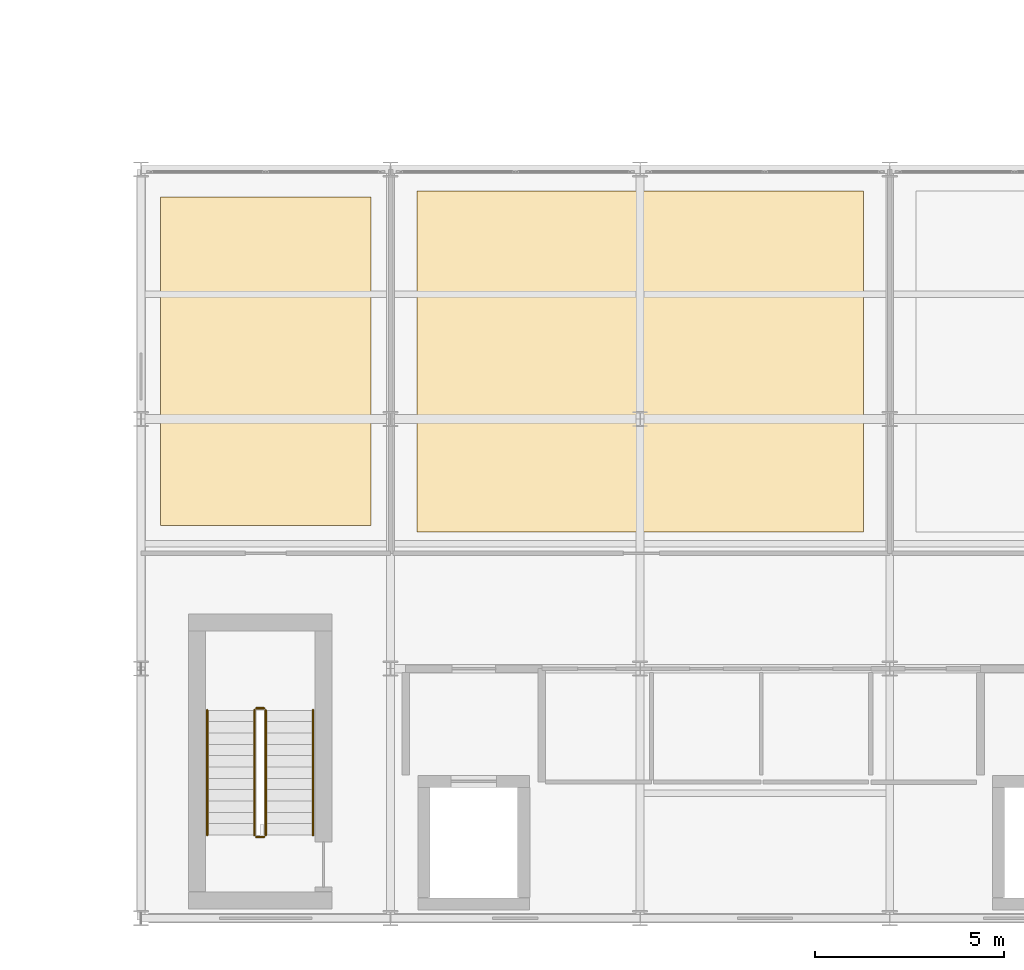
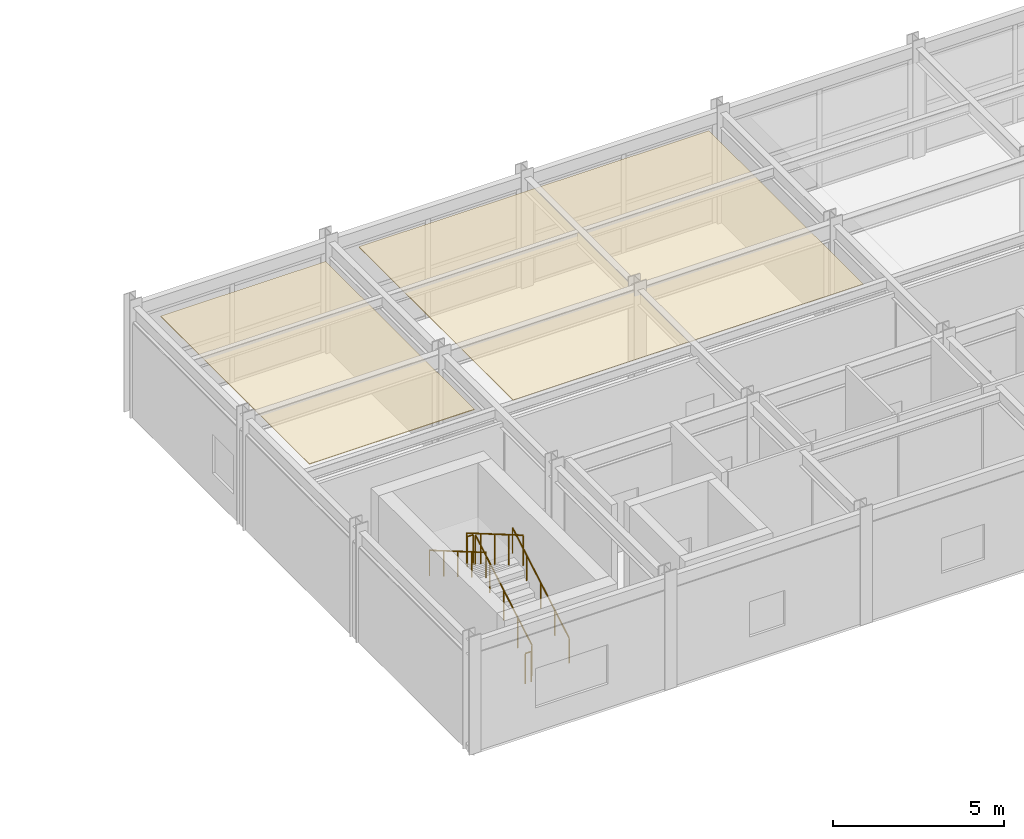
# One storey, part 138 of 147: 6 railings, 2 coverings.
"""IFC4 building model written with IfcOpenShell, lengths in metres."""

from ifc_helpers import new_model, si_unit, direction, frame, origin, origin_2d, place, context, subcontext, project, spatial, polyline, circle, outline, extrude, material, layer, layer_set, type_object, element, save


model = new_model("IFC4")

# Units and contexts
model_context = context("Model", 3, precision=1e-05, world=origin(), true_north=direction((0.0, 1.0)))
body_context = subcontext(model_context, "Body", "Model", "MODEL_VIEW")
ifc_project = project(units=[si_unit("LENGTHUNIT", "METRE"), si_unit("AREAUNIT", "SQUARE_METRE"), si_unit("VOLUMEUNIT", "CUBIC_METRE"), si_unit("PLANEANGLEUNIT", "RADIAN"), si_unit("MASSUNIT", "GRAM", prefix="KILO")], contexts=[model_context])

# Site, building, storey
site_placement = place(None, origin())
site = spatial("IfcSite", under=ifc_project, at=site_placement, CompositionType="ELEMENT")
building_placement = place(site_placement, origin())
building = spatial("IfcBuilding", under=site, at=building_placement, Name="Karori Crest Natural Sciences Institute", CompositionType="ELEMENT")
storey_placement = place(building_placement, frame((0.0, 0.0, 9.10009765625)))
storey = spatial("IfcBuildingStorey", under=building, at=storey_placement, Name="L02", CompositionType="ELEMENT", Elevation=9.10009765625)

# Coverings
ifc_material_1 = material(Name="Acoustic mineral fibre ceiling tile")
ifc_layer = layer(ifc_material_1, 0.02490234375, Name="Acoustic mineral fibre ceiling tile")
ifc_layer_set = layer_set([ifc_layer], Name="Acoustic mineral fibre ceiling tile")
covering_type = type_object("IfcCoveringType", Name="CVT-CEIL", PredefinedType="CEILING", material=ifc_layer_set)
covering_1_placement = place(storey_placement, frame((0.0, 0.0, 3.704833984375)))
element("IfcCovering", 1, at=covering_1_placement, inside=storey, type_object=covering_type, Name="Acoustic ceiling CLG-0011", PredefinedType="CEILING", context=body_context, shape_type="SweptSolid", body=[
    extrude(outline(polyline([(104.117431640625, 19.87060546875), (104.117431640625, 11.179443359375), (109.6826171875, 11.179443359375), (109.6826171875, 19.87060546875), (104.117431640625, 19.87060546875)])), origin(), (0.0, 0.0, 1.0), 0.025146484375),
])
covering_2_placement = place(storey_placement, frame((0.0, 0.0, 3.704833984375)))
element("IfcCovering", 2, at=covering_2_placement, inside=storey, type_object=covering_type, Name="Acoustic ceiling CLG-0012", PredefinedType="CEILING", context=body_context, shape_type="SweptSolid", body=[
    extrude(outline(polyline([(110.896240234375, 20.03515625), (110.896240234375, 11.014892578125), (122.70361328125, 11.014892578125), (122.70361328125, 20.03515625), (110.896240234375, 20.03515625)])), origin(), (0.0, 0.0, 1.0), 0.025146484375),
])

# Railings
ifc_material_2 = material(Name="Stainless steel 316 tubular handrail", Category="steel")
railing_type_1 = type_object("IfcRailingType", Name="RLT-HND", PredefinedType="HANDRAIL", material=ifc_material_2)
railing_1_placement = place(storey_placement, frame((108.14990234375, 3.0, 0.1748046875)))
element("IfcRailing", 3, at=railing_1_placement, inside=storey, type_object=railing_type_1, Name="Stair handrail RL-0115", PredefinedType="HANDRAIL", context=body_context, shape_type="SweptSolid", body=[
    extrude(circle(Radius=0.02392578125, at=origin_2d()), frame((0.0, 0.0, 0.90087890625), z_axis=(0.0, 0.863776583165, 0.503874998761), x_axis=(-1.0, 0.0, 0.0)), (0.0, 0.0, 1.0), 3.820556640625),
    extrude(circle(Radius=0.02099609375, at=origin_2d()), origin(), (0.0, 0.0, 1.0), 0.876953125),
    extrude(circle(Radius=0.02099609375, at=origin_2d()), frame((0.0, 0.824951171875, 0.481201171875)), (0.0, 0.0, 1.0), 0.876953125),
    extrude(circle(Radius=0.02099609375, at=origin_2d()), frame((0.0, 1.64990234375, 0.96240234375)), (0.0, 0.0, 1.0), 0.876953125),
    extrude(circle(Radius=0.02099609375, at=origin_2d()), frame((0.0, 2.47509765625, 1.44384765625)), (0.0, 0.0, 1.0), 0.876953125),
    extrude(circle(Radius=0.02099609375, at=origin_2d()), frame((0.0, 3.300048828125, 1.925048828125)), (0.0, 0.0, 1.0), 0.876953125),
])
railing_2_placement = place(storey_placement, frame((105.35009765625, 6.300048828125, 2.27490234375)))
element("IfcRailing", 4, at=railing_2_placement, inside=storey, type_object=railing_type_1, Name="Stair handrail RL-0116", PredefinedType="HANDRAIL", context=body_context, shape_type="SweptSolid", body=[
    extrude(circle(Radius=0.02392578125, at=origin_2d()), frame((0.0, 0.0, 0.90087890625), z_axis=(0.0, -0.863776583165, 0.503874998761), x_axis=(1.0, 0.0, 0.0)), (0.0, 0.0, 1.0), 3.820556640625),
    extrude(circle(Radius=0.02099609375, at=origin_2d()), origin(), (0.0, 0.0, 1.0), 0.876953125),
    extrude(circle(Radius=0.02099609375, at=origin_2d()), frame((0.0, -0.824951171875, 0.481201171875)), (0.0, 0.0, 1.0), 0.876953125),
    extrude(circle(Radius=0.02099609375, at=origin_2d()), frame((0.0, -1.64990234375, 0.96240234375)), (0.0, 0.0, 1.0), 0.876953125),
    extrude(circle(Radius=0.02099609375, at=origin_2d()), frame((0.0, -2.47509765625, 1.44384765625)), (0.0, 0.0, 1.0), 0.876953125),
    extrude(circle(Radius=0.02099609375, at=origin_2d()), frame((0.0, -3.300048828125, 1.925048828125)), (0.0, 0.0, 1.0), 0.876953125),
])
ifc_material_3 = material(Name="Stainless steel 316 stair guard", Category="steel")
railing_type_2 = type_object("IfcRailingType", Name="RLT-STG", PredefinedType="GUARDRAIL", material=ifc_material_3)
railing_3_placement = place(storey_placement, frame((106.89990234375, 3.0, 0.1748046875)))
element("IfcRailing", 5, at=railing_3_placement, inside=storey, type_object=railing_type_2, Name="Stair guard RL-0111", PredefinedType="GUARDRAIL", context=body_context, shape_type="SweptSolid", body=[
    extrude(circle(Radius=0.02392578125, at=origin_2d()), frame((0.0, 0.0, 1.076171875), z_axis=(0.0, 0.863776583165, 0.503874998761), x_axis=(-1.0, 0.0, 0.0)), (0.0, 0.0, 1.0), 3.820556640625),
    extrude(circle(Radius=0.02099609375, at=origin_2d()), origin(), (0.0, 0.0, 1.0), 1.052001953125),
    extrude(circle(Radius=0.02099609375, at=origin_2d()), frame((0.0, 0.824951171875, 0.481201171875)), (0.0, 0.0, 1.0), 1.052001953125),
    extrude(circle(Radius=0.02099609375, at=origin_2d()), frame((0.0, 1.64990234375, 0.96240234375)), (0.0, 0.0, 1.0), 1.052001953125),
    extrude(circle(Radius=0.02099609375, at=origin_2d()), frame((0.0, 2.47509765625, 1.44384765625)), (0.0, 0.0, 1.0), 1.052001953125),
    extrude(circle(Radius=0.02099609375, at=origin_2d()), frame((0.0, 3.300048828125, 1.925048828125)), (0.0, 0.0, 1.0), 1.052001953125),
])
railing_4_placement = place(storey_placement, frame((106.85009765625, 6.35009765625, 2.099853515625)))
element("IfcRailing", 6, at=railing_4_placement, inside=storey, type_object=railing_type_2, Name="Stair guard RL-0112", PredefinedType="GUARDRAIL", context=body_context, shape_type="SweptSolid", body=[
    extrude(circle(Radius=0.02392578125, at=origin_2d()), frame((0.0, 0.0, 1.076171875), z_axis=(-1.0, 0.0, 0.0), x_axis=(0.0, -1.0, 0.0)), (0.0, 0.0, 1.0), 0.2001953125),
    extrude(circle(Radius=0.02099609375, at=origin_2d()), origin(), (0.0, 0.0, 1.0), 1.052001953125),
    extrude(circle(Radius=0.02099609375, at=origin_2d()), frame((-0.2001953125, 0.0, 0.0)), (0.0, 0.0, 1.0), 1.052001953125),
])
railing_5_placement = place(storey_placement, frame((106.60009765625, 6.300048828125, 2.27490234375)))
element("IfcRailing", 7, at=railing_5_placement, inside=storey, type_object=railing_type_2, Name="Stair guard RL-0113", PredefinedType="GUARDRAIL", context=body_context, shape_type="SweptSolid", body=[
    extrude(circle(Radius=0.02392578125, at=origin_2d()), frame((0.0, 0.0, 1.076171875), z_axis=(0.0, -0.863776583165, 0.503874998761), x_axis=(1.0, 0.0, 0.0)), (0.0, 0.0, 1.0), 3.820556640625),
    extrude(circle(Radius=0.02099609375, at=origin_2d()), origin(), (0.0, 0.0, 1.0), 1.052001953125),
    extrude(circle(Radius=0.02099609375, at=origin_2d()), frame((0.0, -0.824951171875, 0.481201171875)), (0.0, 0.0, 1.0), 1.052001953125),
    extrude(circle(Radius=0.02099609375, at=origin_2d()), frame((0.0, -1.64990234375, 0.96240234375)), (0.0, 0.0, 1.0), 1.052001953125),
    extrude(circle(Radius=0.02099609375, at=origin_2d()), frame((0.0, -2.47509765625, 1.44384765625)), (0.0, 0.0, 1.0), 1.052001953125),
    extrude(circle(Radius=0.02099609375, at=origin_2d()), frame((0.0, -3.300048828125, 1.925048828125)), (0.0, 0.0, 1.0), 1.052001953125),
])
railing_6_placement = place(storey_placement, frame((106.85009765625, 2.949951171875, 0.0)))
element("IfcRailing", 8, at=railing_6_placement, inside=storey, type_object=railing_type_2, Name="Stair guard RL-0114", PredefinedType="GUARDRAIL", context=body_context, shape_type="SweptSolid", body=[
    extrude(circle(Radius=0.02392578125, at=origin_2d()), frame((0.0, 0.0, 1.076171875), z_axis=(-1.0, 0.0, 0.0), x_axis=(0.0, -1.0, 0.0)), (0.0, 0.0, 1.0), 0.2001953125),
    extrude(circle(Radius=0.02099609375, at=origin_2d()), origin(), (0.0, 0.0, 1.0), 1.052001953125),
    extrude(circle(Radius=0.02099609375, at=origin_2d()), frame((-0.2001953125, 0.0, 0.0)), (0.0, 0.0, 1.0), 1.052001953125),
])

save(model, "model.ifc")
